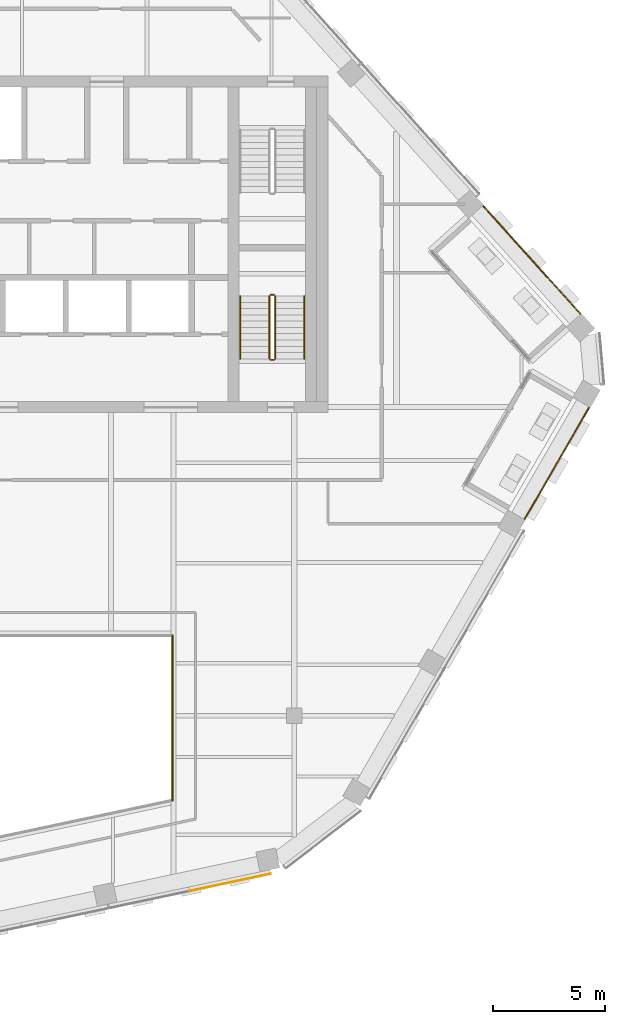
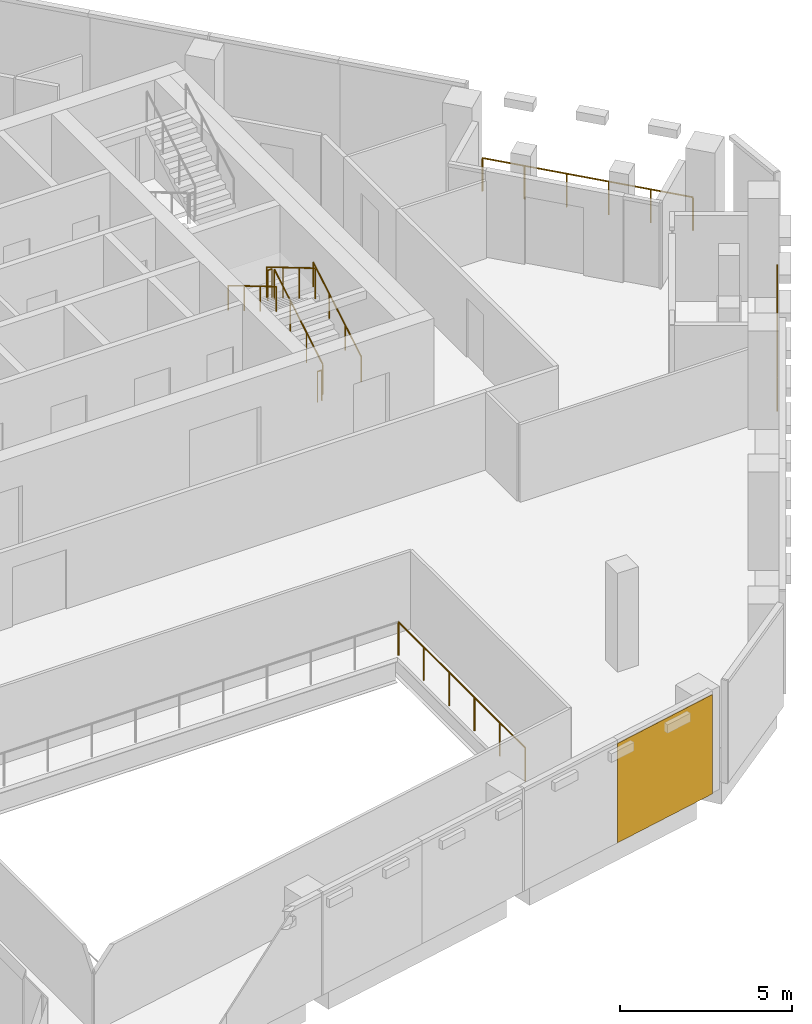
# One storey, part 19 of 22: 9 railings, 1 covering, 1 element without a shape of its own.
"""IFC4 building model written with IfcOpenShell, lengths in metres."""

from ifc_helpers import new_model, si_unit, direction, frame, origin, origin_2d, place, context, subcontext, project, spatial, rectangle, circle, extrude, material, layer, layer_set, type_object, element, aggregate, save


model = new_model("IFC4")

# Units and contexts
model_context = context("Model", 3, precision=1e-05, world=origin(), true_north=direction((0.0, 1.0)))
body_context = subcontext(model_context, "Body", "Model", "MODEL_VIEW")
ifc_project = project(units=[si_unit("LENGTHUNIT", "METRE"), si_unit("AREAUNIT", "SQUARE_METRE"), si_unit("VOLUMEUNIT", "CUBIC_METRE"), si_unit("PLANEANGLEUNIT", "RADIAN"), si_unit("MASSUNIT", "GRAM", prefix="KILO")], contexts=[model_context])

# Site, building, storey
site_placement = place(None, origin())
site = spatial("IfcSite", under=ifc_project, at=site_placement, CompositionType="ELEMENT")
building_placement = place(site_placement, origin())
building = spatial("IfcBuilding", under=site, at=building_placement, Name="Isthmus Gate Tower", CompositionType="ELEMENT")
storey_placement = place(building_placement, frame((0.0, 0.0, 264.60009765625)))
storey = spatial("IfcBuildingStorey", under=building, at=storey_placement, Name="L67", CompositionType="ELEMENT", Elevation=264.60009765625)

# Railing
ifc_material_1 = material(Name="Laminated toughened glass balustrade with steel rail", Category="steel")
railing_type_1 = type_object("IfcRailingType", Name="ATRIUM GUARD GLASS BALUSTRADE 1200", PredefinedType="GUARDRAIL", material=ifc_material_1)
railing_1_placement = place(storey_placement, frame((8.080078125, -9.919921875, 0.0)))
element("IfcRailing", 1, at=railing_1_placement, inside=storey, type_object=railing_type_1, Name="L67 atrium guard", PredefinedType="GUARDRAIL", context=body_context, shape_type="SweptSolid", body=[
    extrude(circle(Radius=0.02490234375, at=origin_2d()), frame((0.0, 0.0, 1.1748046875), z_axis=(0.0, -1.0, 0.0), x_axis=(1.0, 0.0, 0.0)), (0.0, 0.0, 1.0), 7.35498046875),
    extrude(circle(Radius=0.02490234375, at=origin_2d()), origin(), (0.0, 0.0, 1.0), 1.14990234375),
    extrude(circle(Radius=0.02490234375, at=origin_2d()), frame((0.0, -1.470947265625, 0.0)), (0.0, 0.0, 1.0), 1.14990234375),
    extrude(circle(Radius=0.02490234375, at=origin_2d()), frame((0.0, -2.94189453125, 0.0)), (0.0, 0.0, 1.0), 1.14990234375),
    extrude(circle(Radius=0.02490234375, at=origin_2d()), frame((0.0, -4.4130859375, 0.0)), (0.0, 0.0, 1.0), 1.14990234375),
    extrude(circle(Radius=0.02490234375, at=origin_2d()), frame((0.0, -5.884033203125, 0.0)), (0.0, 0.0, 1.0), 1.14990234375),
    extrude(circle(Radius=0.02490234375, at=origin_2d()), frame((0.0, -7.35498046875, 0.0)), (0.0, 0.0, 1.0), 1.14990234375),
])

# Curtain wall, covering
ifc_material_2 = material(Name="Aluminium, pale champagne anodised", Category="aluminium")
ifc_layer_1 = layer(ifc_material_2, 0.199951171875)
ifc_layer_set_1 = layer_set([ifc_layer_1], Name="CW-1 UNITISED CURTAIN WALL 200 DEEP")
curtain_wall_type = type_object("IfcCurtainWallType", Name="CW-1 UNITISED CURTAIN WALL 200 DEEP", PredefinedType="NOTDEFINED", material=ifc_layer_set_1)
curtain_wall_placement = place(storey_placement, origin())
curtain_wall = element("IfcCurtainWall", 2, at=curtain_wall_placement, inside=storey, type_object=curtain_wall_type, Name="CW-1 S L67", PredefinedType="NOTDEFINED")
ifc_material_3 = material(Name="Aluminium composite panel, pale champagne anodised", Category="aluminium")
ifc_layer_2 = layer(ifc_material_3, 0.031982421875)
ifc_layer_set_2 = layer_set([ifc_layer_2], Name="CW-1 PALE METAL PANEL 32")
covering_type = type_object("IfcCoveringType", Name="CW-1 PALE METAL PANEL 32", PredefinedType="CLADDING", material=ifc_layer_set_2)
covering_placement = place(storey_placement, frame((10.644775390625, -20.925537109375, 0.0), z_axis=(0.0, 0.0, 1.0), x_axis=(0.978147600734, 0.207911690818, 0.0)))
covering = element("IfcCovering", 3, at=covering_placement, type_object=covering_type, Name="CW-1 pale metal panel", PredefinedType="CLADDING", context=body_context, shape_type="SweptSolid", body=[
    extrude(rectangle(XDim=3.703369140625, YDim=0.031982421875, at=origin_2d()), origin(), (0.0, 0.0, 1.0), 3.52001953125),
])
aggregate(curtain_wall, [covering])

# Railings
ifc_material_4 = material(Name="Toughened laminated glass with stainless steel posts", Category="steel")
railing_type_2 = type_object("IfcRailingType", Name="GUARD 1200 FRAMELESS GLASS", PredefinedType="GUARDRAIL", material=ifc_material_4)
railing_2_placement = place(storey_placement, frame((23.775146484375, -4.720458984375, 0.0)))
element("IfcRailing", 4, at=railing_2_placement, inside=storey, type_object=railing_type_2, Name="LOGGIA GUARD", PredefinedType="GUARDRAIL", context=body_context, shape_type="SweptSolid", body=[
    extrude(circle(Radius=0.02490234375, at=origin_2d()), frame((0.0, 0.0, 1.1748046875), z_axis=(0.499991653138, 0.866030222794, 0.0), x_axis=(-0.866030222794, 0.499991653138, 0.0)), (0.0, 0.0, 1.0), 5.70458984375),
    extrude(circle(Radius=0.02490234375, at=origin_2d()), origin(), (0.0, 0.0, 1.0), 1.14990234375),
    extrude(circle(Radius=0.02490234375, at=origin_2d()), frame((0.713134765625, 1.235107421875, 0.0)), (0.0, 0.0, 1.0), 1.14990234375),
    extrude(circle(Radius=0.02490234375, at=origin_2d()), frame((1.42626953125, 2.47021484375, 0.0)), (0.0, 0.0, 1.0), 1.14990234375),
    extrude(circle(Radius=0.02490234375, at=origin_2d()), frame((2.13916015625, 3.705322265625, 0.0)), (0.0, 0.0, 1.0), 1.14990234375),
    extrude(circle(Radius=0.02490234375, at=origin_2d()), frame((2.852294921875, 4.9404296875, 0.0)), (0.0, 0.0, 1.0), 1.14990234375),
])
railing_3_placement = place(storey_placement, frame((26.228271484375, 4.417724609375, 0.0)))
element("IfcRailing", 5, at=railing_3_placement, inside=storey, type_object=railing_type_2, Name="LOGGIA GUARD", PredefinedType="GUARDRAIL", context=body_context, shape_type="SweptSolid", body=[
    extrude(circle(Radius=0.02490234375, at=origin_2d()), frame((0.0, 0.0, 1.1748046875), z_axis=(-0.669136818185, 0.743139232277, 0.0), x_axis=(-0.743139232277, -0.669136818185, 0.0)), (0.0, 0.0, 1.0), 6.426513671875),
    extrude(circle(Radius=0.02490234375, at=origin_2d()), origin(), (0.0, 0.0, 1.0), 1.14990234375),
    extrude(circle(Radius=0.02490234375, at=origin_2d()), frame((-0.860107421875, 0.955078125, 0.0)), (0.0, 0.0, 1.0), 1.14990234375),
    extrude(circle(Radius=0.02490234375, at=origin_2d()), frame((-1.72021484375, 1.910400390625, 0.0)), (0.0, 0.0, 1.0), 1.14990234375),
    extrude(circle(Radius=0.02490234375, at=origin_2d()), frame((-2.580078125, 2.865478515625, 0.0)), (0.0, 0.0, 1.0), 1.14990234375),
    extrude(circle(Radius=0.02490234375, at=origin_2d()), frame((-3.440185546875, 3.82080078125, 0.0)), (0.0, 0.0, 1.0), 1.14990234375),
    extrude(circle(Radius=0.02490234375, at=origin_2d()), frame((-4.30029296875, 4.77587890625, 0.0)), (0.0, 0.0, 1.0), 1.14990234375),
])
ifc_material_5 = material(Name="Stainless steel balustrade", Category="steel")
railing_type_3 = type_object("IfcRailingType", Name="STAIR GUARD 1100", PredefinedType="GUARDRAIL", material=ifc_material_5)
railing_4_placement = place(storey_placement, frame((12.64990234375, 2.39990234375, 0.165771484375)))
element("IfcRailing", 6, at=railing_4_placement, inside=storey, type_object=railing_type_3, Name="L67 ST8 stair guard 1", PredefinedType="GUARDRAIL", context=body_context, shape_type="SweptSolid", body=[
    extrude(circle(Radius=0.02392578125, at=origin_2d()), frame((0.0, 0.0, 1.076171875), z_axis=(0.0, 0.860306154799, 0.50977771628), x_axis=(-1.0, 0.0, 0.0)), (0.0, 0.0, 1.0), 3.254638671875),
    extrude(circle(Radius=0.02099609375, at=origin_2d()), origin(), (0.0, 0.0, 1.0), 1.052001953125),
    extrude(circle(Radius=0.02099609375, at=origin_2d()), frame((0.0, 0.933349609375, 0.552978515625)), (0.0, 0.0, 1.0), 1.052001953125),
    extrude(circle(Radius=0.02099609375, at=origin_2d()), frame((0.0, 1.86669921875, 1.106201171875)), (0.0, 0.0, 1.0), 1.052001953125),
    extrude(circle(Radius=0.02099609375, at=origin_2d()), frame((0.0, 2.800048828125, 1.6591796875)), (0.0, 0.0, 1.0), 1.052001953125),
])
railing_5_placement = place(storey_placement, frame((12.60009765625, 5.25, 1.824951171875)))
element("IfcRailing", 7, at=railing_5_placement, inside=storey, type_object=railing_type_3, Name="L67 ST8 stair guard 2", PredefinedType="GUARDRAIL", context=body_context, shape_type="SweptSolid", body=[
    extrude(circle(Radius=0.02392578125, at=origin_2d()), frame((0.0, 0.0, 1.076171875), z_axis=(-1.0, 0.0, 0.0), x_axis=(0.0, -1.0, 0.0)), (0.0, 0.0, 1.0), 0.150146484375),
    extrude(circle(Radius=0.02099609375, at=origin_2d()), origin(), (0.0, 0.0, 1.0), 1.052001953125),
    extrude(circle(Radius=0.02099609375, at=origin_2d()), frame((-0.150146484375, 0.0, 0.0)), (0.0, 0.0, 1.0), 1.052001953125),
])
railing_6_placement = place(storey_placement, frame((12.39990234375, 5.199951171875, 1.99072265625)))
element("IfcRailing", 8, at=railing_6_placement, inside=storey, type_object=railing_type_3, Name="L67 ST8 stair guard 3", PredefinedType="GUARDRAIL", context=body_context, shape_type="SweptSolid", body=[
    extrude(circle(Radius=0.02392578125, at=origin_2d()), frame((0.0, 0.0, 1.076171875), z_axis=(0.0, -0.860306154799, 0.50977771628), x_axis=(1.0, 0.0, 0.0)), (0.0, 0.0, 1.0), 3.254638671875),
    extrude(circle(Radius=0.02099609375, at=origin_2d()), origin(), (0.0, 0.0, 1.0), 1.052001953125),
    extrude(circle(Radius=0.02099609375, at=origin_2d()), frame((0.0, -0.933349609375, 0.552978515625)), (0.0, 0.0, 1.0), 1.052001953125),
    extrude(circle(Radius=0.02099609375, at=origin_2d()), frame((0.0, -1.86669921875, 1.106201171875)), (0.0, 0.0, 1.0), 1.052001953125),
    extrude(circle(Radius=0.02099609375, at=origin_2d()), frame((0.0, -2.800048828125, 1.6591796875)), (0.0, 0.0, 1.0), 1.052001953125),
])
railing_7_placement = place(storey_placement, frame((12.60009765625, 2.35009765625, 0.0)))
element("IfcRailing", 9, at=railing_7_placement, inside=storey, type_object=railing_type_3, Name="L67 ST8 stair guard 4", PredefinedType="GUARDRAIL", context=body_context, shape_type="SweptSolid", body=[
    extrude(circle(Radius=0.02392578125, at=origin_2d()), frame((0.0, 0.0, 1.076171875), z_axis=(-1.0, 0.0, 0.0), x_axis=(0.0, -1.0, 0.0)), (0.0, 0.0, 1.0), 0.150146484375),
    extrude(circle(Radius=0.02099609375, at=origin_2d()), origin(), (0.0, 0.0, 1.0), 1.052001953125),
    extrude(circle(Radius=0.02099609375, at=origin_2d()), frame((-0.150146484375, 0.0, 0.0)), (0.0, 0.0, 1.0), 1.052001953125),
])
ifc_material_6 = material(Name="Stainless steel handrail", Category="steel")
railing_type_4 = type_object("IfcRailingType", Name="STAIR HANDRAIL 900", PredefinedType="HANDRAIL", material=ifc_material_6)
railing_8_placement = place(storey_placement, frame((13.949951171875, 2.39990234375, 0.165771484375)))
element("IfcRailing", 10, at=railing_8_placement, inside=storey, type_object=railing_type_4, Name="L67 ST8 stair handrail 1", PredefinedType="HANDRAIL", context=body_context, shape_type="SweptSolid", body=[
    extrude(circle(Radius=0.02392578125, at=origin_2d()), frame((0.0, 0.0, 0.8759765625), z_axis=(0.0, 0.860306154799, 0.50977771628), x_axis=(-1.0, 0.0, 0.0)), (0.0, 0.0, 1.0), 3.254638671875),
    extrude(circle(Radius=0.02099609375, at=origin_2d()), origin(), (0.0, 0.0, 1.0), 0.851806640625),
    extrude(circle(Radius=0.02099609375, at=origin_2d()), frame((0.0, 0.933349609375, 0.552978515625)), (0.0, 0.0, 1.0), 0.851806640625),
    extrude(circle(Radius=0.02099609375, at=origin_2d()), frame((0.0, 1.86669921875, 1.106201171875)), (0.0, 0.0, 1.0), 0.851806640625),
    extrude(circle(Radius=0.02099609375, at=origin_2d()), frame((0.0, 2.800048828125, 1.6591796875)), (0.0, 0.0, 1.0), 0.851806640625),
])
railing_9_placement = place(storey_placement, frame((11.10009765625, 5.199951171875, 1.99072265625)))
element("IfcRailing", 11, at=railing_9_placement, inside=storey, type_object=railing_type_4, Name="L67 ST8 stair handrail 2", PredefinedType="HANDRAIL", context=body_context, shape_type="SweptSolid", body=[
    extrude(circle(Radius=0.02392578125, at=origin_2d()), frame((0.0, 0.0, 0.8759765625), z_axis=(0.0, -0.860306154799, 0.50977771628), x_axis=(1.0, 0.0, 0.0)), (0.0, 0.0, 1.0), 3.254638671875),
    extrude(circle(Radius=0.02099609375, at=origin_2d()), origin(), (0.0, 0.0, 1.0), 0.851806640625),
    extrude(circle(Radius=0.02099609375, at=origin_2d()), frame((0.0, -0.933349609375, 0.552978515625)), (0.0, 0.0, 1.0), 0.851806640625),
    extrude(circle(Radius=0.02099609375, at=origin_2d()), frame((0.0, -1.86669921875, 1.106201171875)), (0.0, 0.0, 1.0), 0.851806640625),
    extrude(circle(Radius=0.02099609375, at=origin_2d()), frame((0.0, -2.800048828125, 1.6591796875)), (0.0, 0.0, 1.0), 0.851806640625),
])

save(model, "model.ifc")
